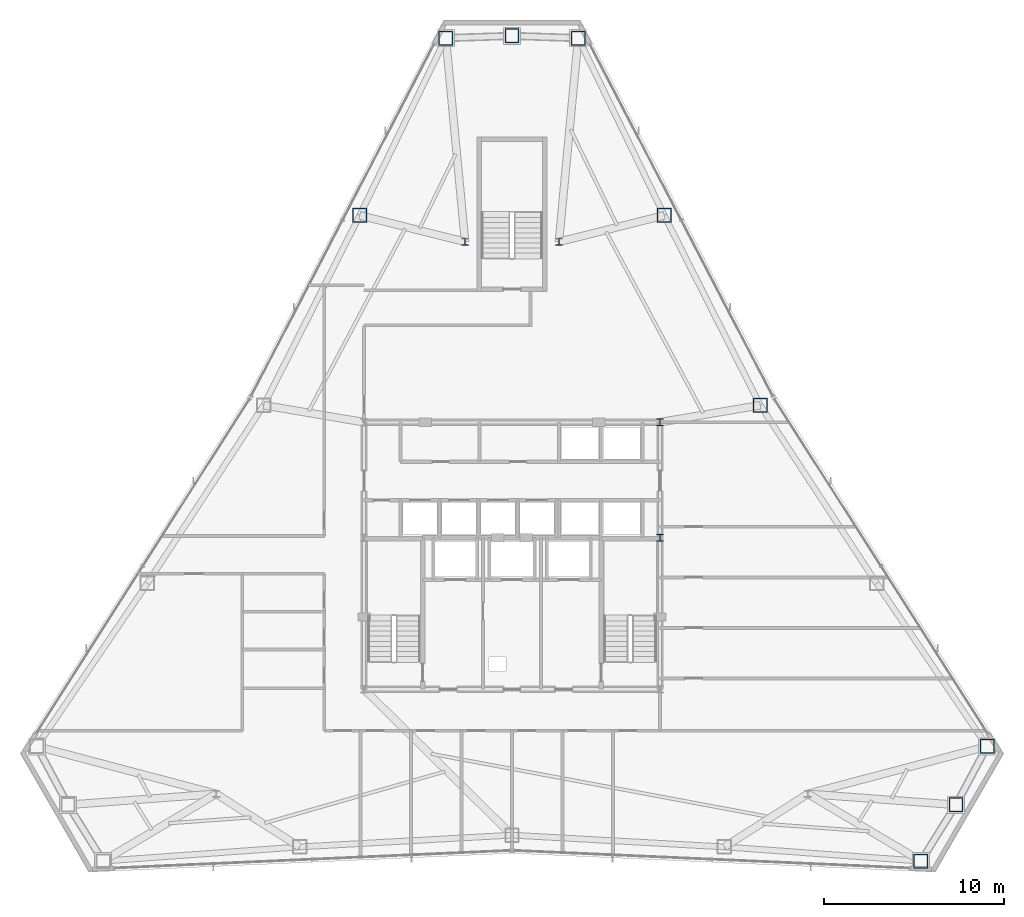
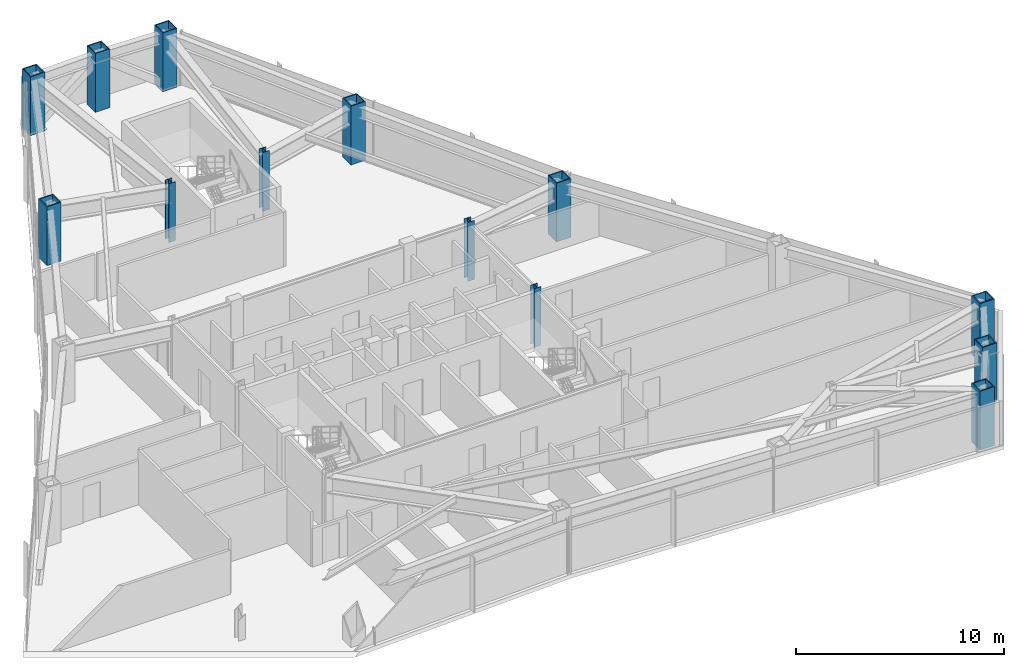
# One storey, part 2 of 13: 13 columns.
"""IFC4 building model written with IfcOpenShell, lengths in metres."""

from ifc_helpers import new_model, si_unit, direction, frame, origin, origin_2d, place, context, subcontext, project, spatial, hollow_rectangle, i_section, extrude, material, material_profile, profile_set, type_object, element, save


model = new_model("IFC4")

# Units and contexts
model_context = context("Model", 3, precision=1e-05, world=origin(), true_north=direction((0.0, 1.0)))
body_context = subcontext(model_context, "Body", "Model", "MODEL_VIEW")
ifc_project = project(units=[si_unit("LENGTHUNIT", "METRE"), si_unit("AREAUNIT", "SQUARE_METRE"), si_unit("VOLUMEUNIT", "CUBIC_METRE"), si_unit("PLANEANGLEUNIT", "RADIAN"), si_unit("MASSUNIT", "GRAM", prefix="KILO")], contexts=[model_context])

# Site, building, storey
site_placement = place(None, origin())
site = spatial("IfcSite", under=ifc_project, at=site_placement, CompositionType="ELEMENT")
building_placement = place(site_placement, origin())
building = spatial("IfcBuilding", under=site, at=building_placement, Name="Varakhsha Concourse Tower", CompositionType="ELEMENT")
storey_placement = place(building_placement, frame((0.0, 0.0, 182.699951171875)))
storey = spatial("IfcBuildingStorey", under=building, at=storey_placement, Name="L52", CompositionType="ELEMENT", Elevation=182.699951171875)

# Columns
ifc_material_1 = material(Name="Structural Steel ASTM A992 Grade 50", Category="steel")
ifc_material_profile_1 = material_profile(ifc_material_1, i_section(OverallWidth=0.3740234375, OverallDepth=0.3720703125, WebThickness=0.01611328125, FlangeThickness=0.02587890625, at=origin_2d()), Name="W14X132")
ifc_profile_set_1 = profile_set([ifc_material_profile_1], Name="Structural Steel ASTM A992 Grade 50")
column_type_1 = type_object("IfcColumnType", Name="CL-CORE-W14X132", PredefinedType="COLUMN", material=ifc_profile_set_1)
for number, where, z_axis, x_axis, name in (
    (1, (48.199951171875, 24.800048828125, 0.0), (0.0, 0.0, 1.0), (1.0, 0.0, 0.0), "L52 Core Column CC-ME"),
    (2, (48.199951171875, 31.199951171875, 0.0), (0.0, 0.0, 1.0), (1.0, 0.0, 0.0), "L52 Core Column CC-NE"),
    (3, (37.39990234375, 41.199951171875, 0.0), (0.0, 0.0, 1.0), (1.0, 0.0, 0.0), "L52 Core Column NS-W"),
    (4, (42.60009765625, 41.199951171875, 0.0), (0.0, 0.0, 1.0), (1.0, 0.0, 0.0), "L52 Core Column NS-E"),
):
    element("IfcColumn", number, at=place(storey_placement, frame(where, z_axis=z_axis, x_axis=x_axis)), inside=storey, type_object=column_type_1, Name=name, PredefinedType="COLUMN", context=body_context, shape_type="SweptSolid", body=[
        extrude(i_section(OverallWidth=0.3740234375, OverallDepth=0.3720703125, WebThickness=0.01611328125, FlangeThickness=0.02587890625, at=origin_2d()), origin(), (0.0, 0.0, 1.0), 3.449951171875),
    ])
ifc_material_2 = material(Name="Structural Steel ASTM A572 Grade 50", Category="steel")
ifc_material_profile_2 = material_profile(ifc_material_2, hollow_rectangle(XDim=0.800048828125, YDim=0.800048828125, WallThickness=0.054931640625, at=origin_2d()), Name="BOX 800x800x55")
ifc_profile_set_2 = profile_set([ifc_material_profile_2], Name="Structural Steel ASTM A572 Grade 50")
column_type_2 = type_object("IfcColumnType", Name="CL-TUBE-800", PredefinedType="COLUMN", material=ifc_profile_set_2)
for number, where, z_axis, x_axis, name in (
    (5, (43.669921875, 52.49462890625, 0.0), (0.0, 0.0, 1.0), (1.0, 0.0, 0.0), "L52 Framed-Tube Column TC01"),
    (6, (40.0, 52.6181640625, 0.0), (0.0, 0.0, 1.0), (1.0, 0.0, 0.0), "L52 Framed-Tube Column TC02"),
    (7, (36.330078125, 52.49462890625, 0.0), (0.0, 0.0, 1.0), (1.0, 0.0, 0.0), "L52 Framed-Tube Column TC03"),
    (8, (31.56298828125, 42.668212890625, 0.0), (0.0, 0.0, 1.0), (1.0, 0.0, 0.0), "L52 Framed-Tube Column TC04"),
    (9, (62.6689453125, 6.87451171875, 0.0), (0.0, 0.0, 1.0), (1.0, 0.0, 0.0), "L52 Framed-Tube Column TC13"),
    (10, (64.61083984375, 9.990966796875, 0.0), (0.0, 0.0, 1.0), (1.0, 0.0, 0.0), "L52 Framed-Tube Column TC14"),
    (11, (66.3388671875, 13.23095703125, 0.0), (0.0, 0.0, 1.0), (1.0, 0.0, 0.0), "L52 Framed-Tube Column TC15"),
    (12, (53.759033203125, 32.143798828125, 0.0), (0.0, 0.0, 1.0), (1.0, 0.0, 0.0), "L52 Framed-Tube Column TC17"),
    (13, (48.43701171875, 42.668212890625, 0.0), (0.0, 0.0, 1.0), (1.0, 0.0, 0.0), "L52 Framed-Tube Column TC18"),
):
    element("IfcColumn", number, at=place(storey_placement, frame(where, z_axis=z_axis, x_axis=x_axis)), inside=storey, type_object=column_type_2, Name=name, PredefinedType="COLUMN", context=body_context, shape_type="SweptSolid", body=[
        extrude(hollow_rectangle(XDim=0.800048828125, YDim=0.800048828125, WallThickness=0.054931640625, at=origin_2d()), origin(), (0.0, 0.0, 1.0), 3.449951171875),
    ])

save(model, "model.ifc")
